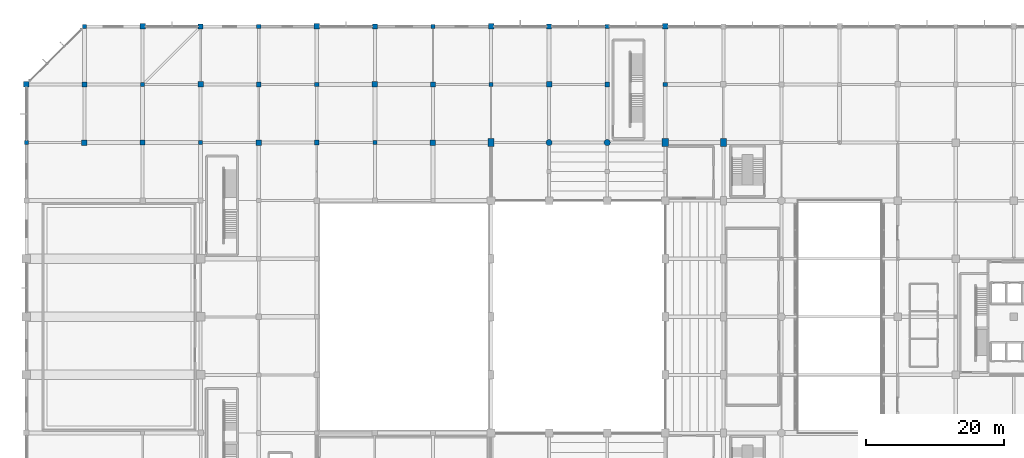
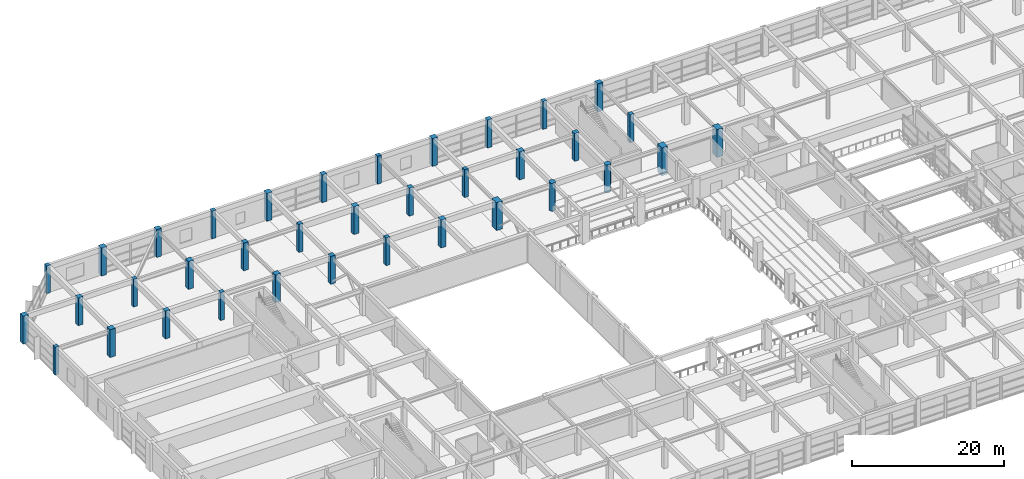
# One storey, part 5 of 62: 36 columns.
"""IFC4 building model written with IfcOpenShell, lengths in metres."""

from ifc_helpers import new_model, si_unit, direction, frame, origin, origin_2d, place, context, subcontext, project, spatial, rectangle, circle, extrude, material, material_profile, profile_set, type_object, element, save


model = new_model("IFC4")

# Units and contexts
model_context = context("Model", 3, precision=1e-05, world=origin(), true_north=direction((0.0, 1.0)))
body_context = subcontext(model_context, "Body", "Model", "MODEL_VIEW")
ifc_project = project(units=[si_unit("LENGTHUNIT", "METRE"), si_unit("AREAUNIT", "SQUARE_METRE"), si_unit("VOLUMEUNIT", "CUBIC_METRE"), si_unit("PLANEANGLEUNIT", "RADIAN"), si_unit("MASSUNIT", "GRAM", prefix="KILO")], contexts=[model_context])

# Site, building, storey
site_placement = place(None, origin())
site = spatial("IfcSite", under=ifc_project, at=site_placement, CompositionType="ELEMENT")
building_placement = place(site_placement, origin())
building = spatial("IfcBuilding", under=site, at=building_placement, Name="Xuanlan Plaza Opera House", CompositionType="ELEMENT")
storey_placement = place(building_placement, frame((0.0, 0.0, 14.39990234375)))
storey = spatial("IfcBuildingStorey", under=building, at=storey_placement, Name="L03", CompositionType="ELEMENT", Elevation=14.39990234375)

# Columns
ifc_material_1 = material(Name="Concrete C40", Category="concrete")
ifc_material_profile_1 = material_profile(ifc_material_1, rectangle(XDim=0.800048828125, YDim=0.800048828125, at=origin_2d()), Name="RC-COL 800x800")
ifc_profile_set_1 = profile_set([ifc_material_profile_1], Name="Concrete C40")
column_type_1 = type_object("IfcColumnType", Name="STR-COL-C-06", PredefinedType="COLUMN", material=ifc_profile_set_1)
for number, where, z_axis, x_axis, name in (
    (1, (0.0, 92.39990234375, 0.0), (0.0, 0.0, 1.0), (1.0, 0.0, 0.0), "Column L03 1-L"),
    (2, (8.39990234375, 84.0, 0.0), (0.0, 0.0, 1.0), (1.0, 0.0, 0.0), "Column L03 2-K"),
    (3, (16.800048828125, 100.800048828125, 0.0), (0.0, 0.0, 1.0), (1.0, 0.0, 0.0), "Column L03 3-M"),
    (4, (25.199951171875, 92.39990234375, 0.0), (0.0, 0.0, 1.0), (1.0, 0.0, 0.0), "Column L03 4-L"),
    (5, (33.60009765625, 84.0, 0.0), (0.0, 0.0, 1.0), (1.0, 0.0, 0.0), "Column L03 5-K"),
    (6, (42.0, 100.800048828125, 0.0), (0.0, 0.0, 1.0), (1.0, 0.0, 0.0), "Column L03 6-M"),
    (7, (50.39990234375, 92.39990234375, 0.0), (0.0, 0.0, 1.0), (1.0, 0.0, 0.0), "Column L03 7-L"),
    (8, (58.800048828125, 84.0, 0.0), (0.0, 0.0, 1.0), (1.0, 0.0, 0.0), "Column L03 8-K"),
    (9, (67.199951171875, 100.800048828125, 0.0), (0.0, 0.0, 1.0), (1.0, 0.0, 0.0), "Column L03 9-M"),
    (10, (75.60009765625, 92.39990234375, 0.0), (0.0, 0.0, 1.0), (1.0, 0.0, 0.0), "Column L03 10-L"),
    (11, (92.39990234375, 100.800048828125, 0.0), (0.0, 0.0, 1.0), (1.0, 0.0, 0.0), "Column L03 12-M"),
):
    element("IfcColumn", number, at=place(storey_placement, frame(where, z_axis=z_axis, x_axis=x_axis)), inside=storey, type_object=column_type_1, Name=name, PredefinedType="COLUMN", context=body_context, shape_type="SweptSolid", body=[
        extrude(rectangle(XDim=0.800048828125, YDim=0.800048828125, at=origin_2d()), origin(), (0.0, 0.0, 1.0), 4.5),
    ])
ifc_material_profile_2 = material_profile(ifc_material_1, rectangle(XDim=0.699951171875, YDim=0.699951171875, at=origin_2d()), Name="RC-COL 700x700")
ifc_profile_set_2 = profile_set([ifc_material_profile_2], Name="Concrete C40")
column_type_2 = type_object("IfcColumnType", Name="STR-COL-C-07", PredefinedType="COLUMN", material=ifc_profile_set_2)
for number, where, z_axis, x_axis, name in (
    (12, (8.39990234375, 92.39990234375, 0.0), (0.0, 0.0, 1.0), (1.0, 0.0, 0.0), "Column L03 2-L"),
    (13, (16.800048828125, 84.0, 0.0), (0.0, 0.0, 1.0), (1.0, 0.0, 0.0), "Column L03 3-K"),
    (14, (25.199951171875, 100.800048828125, 0.0), (0.0, 0.0, 1.0), (1.0, 0.0, 0.0), "Column L03 4-M"),
    (15, (33.60009765625, 92.39990234375, 0.0), (0.0, 0.0, 1.0), (1.0, 0.0, 0.0), "Column L03 5-L"),
    (16, (42.0, 84.0, 0.0), (0.0, 0.0, 1.0), (1.0, 0.0, 0.0), "Column L03 6-K"),
    (17, (50.39990234375, 100.800048828125, 0.0), (0.0, 0.0, 1.0), (1.0, 0.0, 0.0), "Column L03 7-M"),
    (18, (58.800048828125, 92.39990234375, 0.0), (0.0, 0.0, 1.0), (1.0, 0.0, 0.0), "Column L03 8-L"),
    (19, (75.60009765625, 100.800048828125, 0.0), (0.0, 0.0, 1.0), (1.0, 0.0, 0.0), "Column L03 10-M"),
    (20, (84.0, 92.39990234375, 0.0), (0.0, 0.0, 1.0), (1.0, 0.0, 0.0), "Column L03 11-L"),
):
    element("IfcColumn", number, at=place(storey_placement, frame(where, z_axis=z_axis, x_axis=x_axis)), inside=storey, type_object=column_type_2, Name=name, PredefinedType="COLUMN", context=body_context, shape_type="SweptSolid", body=[
        extrude(rectangle(XDim=0.699951171875, YDim=0.699951171875, at=origin_2d()), origin(), (0.0, 0.0, 1.0), 4.5),
    ])
ifc_material_profile_3 = material_profile(ifc_material_1, rectangle(XDim=0.60009765625, YDim=0.60009765625, at=origin_2d()), Name="RC-COL 600x600")
ifc_profile_set_3 = profile_set([ifc_material_profile_3], Name="Concrete C40")
column_type_3 = type_object("IfcColumnType", Name="STR-COL-C-08", PredefinedType="COLUMN", material=ifc_profile_set_3)
for number, where, z_axis, x_axis, name in (
    (21, (0.0, 84.0, 0.0), (0.0, 0.0, 1.0), (1.0, 0.0, 0.0), "Column L03 1-K"),
    (22, (8.39990234375, 100.800048828125, 0.0), (0.0, 0.0, 1.0), (1.0, 0.0, 0.0), "Column L03 2-M"),
    (23, (16.800048828125, 92.39990234375, 0.0), (0.0, 0.0, 1.0), (1.0, 0.0, 0.0), "Column L03 3-L"),
    (24, (25.199951171875, 84.0, 0.0), (0.0, 0.0, 1.0), (1.0, 0.0, 0.0), "Column L03 4-K"),
    (25, (33.60009765625, 100.800048828125, 0.0), (0.0, 0.0, 1.0), (1.0, 0.0, 0.0), "Column L03 5-M"),
    (26, (42.0, 92.39990234375, 0.0), (0.0, 0.0, 1.0), (1.0, 0.0, 0.0), "Column L03 6-L"),
    (27, (50.39990234375, 84.0, 0.0), (0.0, 0.0, 1.0), (1.0, 0.0, 0.0), "Column L03 7-K"),
    (28, (58.800048828125, 100.800048828125, 0.0), (0.0, 0.0, 1.0), (1.0, 0.0, 0.0), "Column L03 8-M"),
    (29, (67.199951171875, 92.39990234375, 0.0), (0.0, 0.0, 1.0), (1.0, 0.0, 0.0), "Column L03 9-L"),
    (30, (84.0, 100.800048828125, 0.0), (0.0, 0.0, 1.0), (1.0, 0.0, 0.0), "Column L03 11-M"),
    (31, (92.39990234375, 92.39990234375, 0.0), (0.0, 0.0, 1.0), (1.0, 0.0, 0.0), "Column L03 12-L"),
):
    element("IfcColumn", number, at=place(storey_placement, frame(where, z_axis=z_axis, x_axis=x_axis)), inside=storey, type_object=column_type_3, Name=name, PredefinedType="COLUMN", context=body_context, shape_type="SweptSolid", body=[
        extrude(rectangle(XDim=0.60009765625, YDim=0.60009765625, at=origin_2d()), origin(), (0.0, 0.0, 1.0), 4.5),
    ])
ifc_material_2 = material(Name="Concrete C50", Category="concrete")
ifc_material_profile_4 = material_profile(ifc_material_2, rectangle(XDim=0.89990234375, YDim=1.199951171875, at=origin_2d()), Name="RC-COL 900x1200")
ifc_profile_set_4 = profile_set([ifc_material_profile_4], Name="Concrete C50")
column_type_4 = type_object("IfcColumnType", Name="STR-COL-C-10", PredefinedType="COLUMN", material=ifc_profile_set_4)
for number, where, z_axis, x_axis, name in (
    (32, (67.199951171875, 84.0, 0.0), (0.0, 0.0, 1.0), (1.0, 0.0, 0.0), "Column L03 9-K"),
    (33, (92.39990234375, 84.0, 0.0), (0.0, 0.0, 1.0), (1.0, 0.0, 0.0), "Column L03 12-K"),
    (34, (100.800048828125, 84.0, 0.0), (0.0, 0.0, 1.0), (1.0, 0.0, 0.0), "Column L03 13-K"),
):
    element("IfcColumn", number, at=place(storey_placement, frame(where, z_axis=z_axis, x_axis=x_axis)), inside=storey, type_object=column_type_4, Name=name, PredefinedType="COLUMN", context=body_context, shape_type="SweptSolid", body=[
        extrude(rectangle(XDim=0.89990234375, YDim=1.199951171875, at=origin_2d()), origin(), (0.0, 0.0, 1.0), 4.5),
    ])
ifc_material_profile_5 = material_profile(ifc_material_1, circle(Radius=0.449951171875, at=origin_2d()), Name="RC-COL D900")
ifc_profile_set_5 = profile_set([ifc_material_profile_5], Name="Concrete C40")
column_type_5 = type_object("IfcColumnType", Name="STR-COL-C-12", PredefinedType="COLUMN", material=ifc_profile_set_5)
for number, where, z_axis, x_axis, name in (
    (35, (75.60009765625, 84.0, 0.0), (0.0, 0.0, 1.0), (1.0, 0.0, 0.0), "Column L03 10-K"),
    (36, (84.0, 84.0, 0.0), (0.0, 0.0, 1.0), (1.0, 0.0, 0.0), "Column L03 11-K"),
):
    element("IfcColumn", number, at=place(storey_placement, frame(where, z_axis=z_axis, x_axis=x_axis)), inside=storey, type_object=column_type_5, Name=name, PredefinedType="COLUMN", context=body_context, shape_type="SweptSolid", body=[
        extrude(circle(Radius=0.449951171875, at=origin_2d()), origin(), (0.0, 0.0, 1.0), 4.5),
    ])

save(model, "model.ifc")
